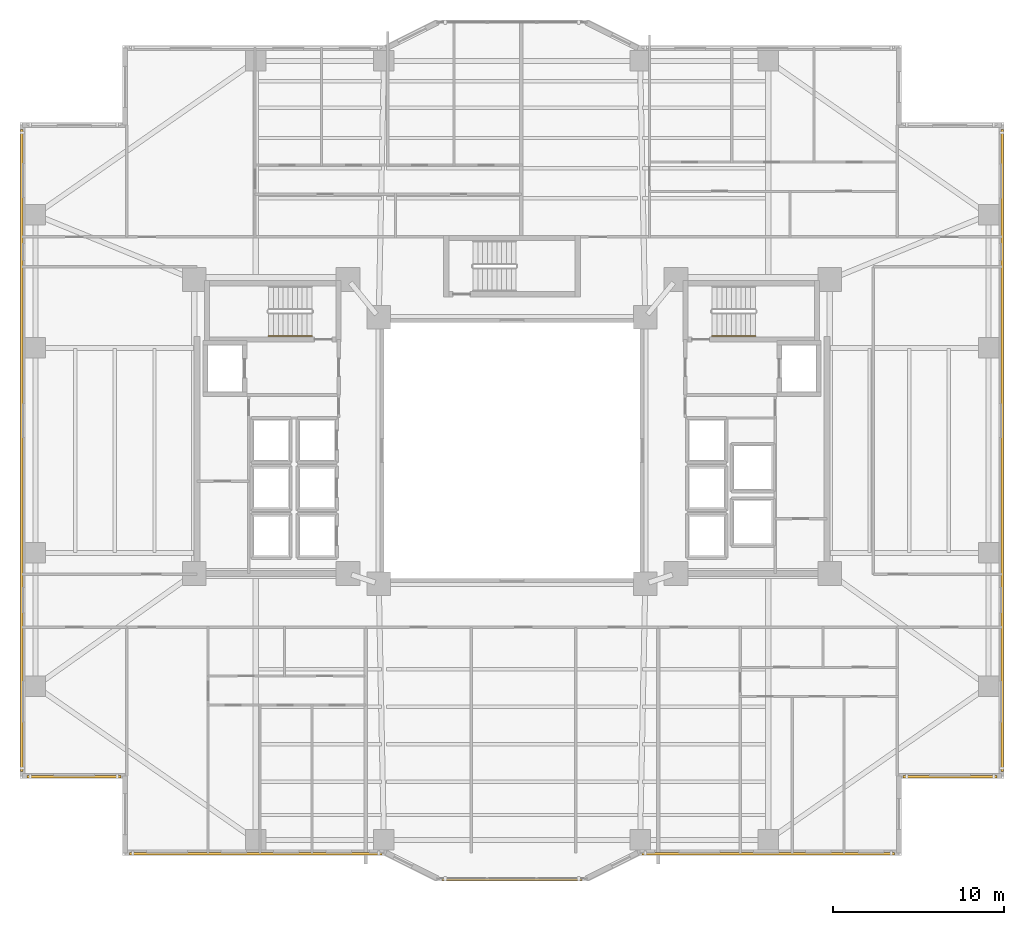
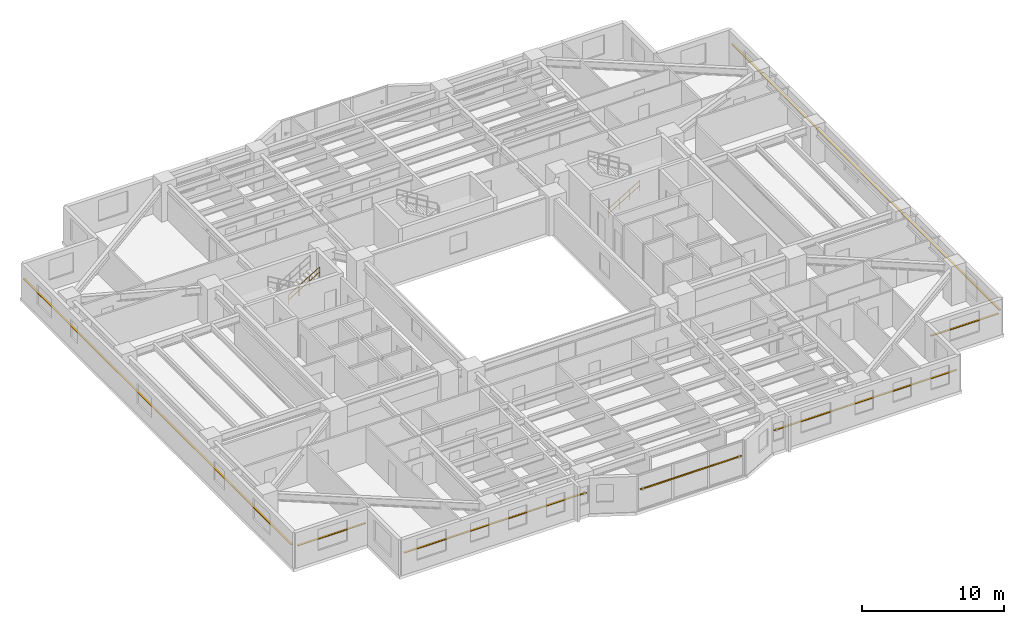
# One storey, part 18 of 20: 7 shading devices, 2 railings.
"""IFC4 building model written with IfcOpenShell, lengths in metres."""

from ifc_helpers import new_model, si_unit, direction, frame, origin, origin_2d, place, context, subcontext, project, spatial, rectangle, circle, extrude, material, material_profile, profile_set, type_object, element, save


model = new_model("IFC4")

# Units and contexts
model_context = context("Model", 3, precision=1e-05, world=origin(), true_north=direction((0.0, 1.0)))
body_context = subcontext(model_context, "Body", "Model", "MODEL_VIEW")
ifc_project = project(units=[si_unit("LENGTHUNIT", "METRE"), si_unit("AREAUNIT", "SQUARE_METRE"), si_unit("VOLUMEUNIT", "CUBIC_METRE"), si_unit("PLANEANGLEUNIT", "RADIAN"), si_unit("MASSUNIT", "GRAM", prefix="KILO")], contexts=[model_context])

# Site, building, storey
site_placement = place(None, origin())
site = spatial("IfcSite", under=ifc_project, at=site_placement, CompositionType="ELEMENT")
building_placement = place(site_placement, origin())
building = spatial("IfcBuilding", under=site, at=building_placement, Name="Tarnavaz Court Tower", CompositionType="ELEMENT")
storey_placement = place(building_placement, frame((0.0, 0.0, 60.85009765625)))
storey = spatial("IfcBuildingStorey", under=building, at=storey_placement, Name="L16", CompositionType="ELEMENT", Elevation=60.85009765625)

# Railings
ifc_material_1 = material(Name="Brushed Stainless Steel", Category="steel")
railing_type = type_object("IfcRailingType", Name="RL-HANDRAIL-900", PredefinedType="HANDRAIL", material=ifc_material_1)
railing_1_placement = place(storey_placement, frame((-14.239990234375, 6.699951171875, 1.84228515625)))
element("IfcRailing", 1, at=railing_1_placement, inside=storey, type_object=railing_type, Name="L16 ST-W1 stair handrail 2", PredefinedType="HANDRAIL", context=body_context, shape_type="SweptSolid", body=[
    extrude(circle(Radius=0.02392578125, at=origin_2d()), frame((0.0, 0.0, 0.8759765625), z_axis=(0.858159760407, 0.0, 0.513382728203), x_axis=(0.0, 1.0, 0.0)), (0.0, 0.0, 1.0), 2.9365234375),
    extrude(circle(Radius=0.02392578125, at=origin_2d()), frame((0.0, 0.0, 0.449951171875), z_axis=(0.858159760407, 0.0, 0.513382728203), x_axis=(0.0, 1.0, 0.0)), (0.0, 0.0, 1.0), 2.9365234375),
    extrude(circle(Radius=0.02099609375, at=origin_2d()), origin(), (0.0, 0.0, 1.0), 0.851806640625),
    extrude(circle(Radius=0.02099609375, at=origin_2d()), frame((0.840087890625, 0.0, 0.50244140625)), (0.0, 0.0, 1.0), 0.851806640625),
    extrude(circle(Radius=0.02099609375, at=origin_2d()), frame((1.679931640625, 0.0, 1.005126953125)), (0.0, 0.0, 1.0), 0.851806640625),
    extrude(circle(Radius=0.02099609375, at=origin_2d()), frame((2.52001953125, 0.0, 1.507568359375)), (0.0, 0.0, 1.0), 0.851806640625),
])
railing_2_placement = place(storey_placement, frame((11.719970703125, 6.699951171875, 0.16748046875)))
element("IfcRailing", 2, at=railing_2_placement, inside=storey, type_object=railing_type, Name="L16 ST-E1 stair handrail 1", PredefinedType="HANDRAIL", context=body_context, shape_type="SweptSolid", body=[
    extrude(circle(Radius=0.02392578125, at=origin_2d()), frame((0.0, 0.0, 0.8759765625), z_axis=(0.858196387827, 0.0, 0.513321497621), x_axis=(0.0, 1.0, 0.0)), (0.0, 0.0, 1.0), 2.9365234375),
    extrude(circle(Radius=0.02392578125, at=origin_2d()), frame((0.0, 0.0, 0.449951171875), z_axis=(0.858196387827, 0.0, 0.513321497621), x_axis=(0.0, 1.0, 0.0)), (0.0, 0.0, 1.0), 2.9365234375),
    extrude(circle(Radius=0.02099609375, at=origin_2d()), origin(), (0.0, 0.0, 1.0), 0.851806640625),
    extrude(circle(Radius=0.02099609375, at=origin_2d()), frame((0.840087890625, 0.0, 0.50244140625)), (0.0, 0.0, 1.0), 0.851806640625),
    extrude(circle(Radius=0.02099609375, at=origin_2d()), frame((1.679931640625, 0.0, 1.0048828125)), (0.0, 0.0, 1.0), 0.851806640625),
    extrude(circle(Radius=0.02099609375, at=origin_2d()), frame((2.52001953125, 0.0, 1.50732421875)), (0.0, 0.0, 1.0), 0.851806640625),
])

# Shading devices
ifc_material_2 = material(Name="Kiln-Fired Khorasan Terracotta Ceramic", Category="masonry")
ifc_material_profile_1 = material_profile(ifc_material_2, rectangle(XDim=0.1201171875, YDim=0.06005859375, at=origin_2d()), Name="TC BAGUETTE 120X60")
ifc_profile_set_1 = profile_set([ifc_material_profile_1], Name="Kiln-Fired Khorasan Terracotta Ceramic")
shading_device_type_1 = type_object("IfcShadingDeviceType", Name="SD-BAG-120", PredefinedType="USERDEFINED", material=ifc_profile_set_1)
shading_device_1_placement = place(storey_placement, frame((4.10009765625, -25.110107421875, 1.7998046875), z_axis=(-1.0, 0.0, 0.0), x_axis=(0.0, -1.0, 0.0)))
element("IfcShadingDevice", 3, at=shading_device_1_placement, inside=storey, type_object=shading_device_type_1, Name="L16 Terracotta Baguette Screen PBG17", ObjectType="BAGUETTE", PredefinedType="USERDEFINED", context=body_context, shape_type="SweptSolid", body=[
    extrude(rectangle(XDim=0.1201171875, YDim=0.06005859375, at=origin_2d()), origin(), (0.0, 0.0, 1.0), 8.2001953125),
])
ifc_material_profile_2 = material_profile(ifc_material_2, rectangle(XDim=0.14990234375, YDim=0.06494140625, at=origin_2d()), Name="TC BAGUETTE 150X65")
ifc_profile_set_2 = profile_set([ifc_material_profile_2], Name="Kiln-Fired Khorasan Terracotta Ceramic")
shading_device_type_2 = type_object("IfcShadingDeviceType", Name="SD-BAG-150", PredefinedType="USERDEFINED", material=ifc_profile_set_2)
shading_device_2_placement = place(storey_placement, frame((-22.89990234375, -19.110107421875, 1.849853515625), z_axis=(-1.0, 0.0, 0.0), x_axis=(0.0, -1.0, 0.0)))
element("IfcShadingDevice", 4, at=shading_device_2_placement, inside=storey, type_object=shading_device_type_2, Name="L16 Terracotta Baguette Screen FBG01", ObjectType="BAGUETTE", PredefinedType="USERDEFINED", context=body_context, shape_type="SweptSolid", body=[
    extrude(rectangle(XDim=0.14990234375, YDim=0.06494140625, at=origin_2d()), origin(), (0.0, 0.0, 1.0), 5.5),
])
for number, where, z_axis, x_axis, name in (
    (5, (-28.7099609375, -18.800048828125, 1.849853515625), (0.0, 1.0, 0.0), (-1.0, 0.0, 0.0), "L16 Terracotta Baguette Screen FBG02"),
    (6, (28.7099609375, 18.800048828125, 1.849853515625), (0.0, -1.0, 0.0), (1.0, 0.0, 0.0), "L16 Terracotta Baguette Screen FBG12"),
):
    element("IfcShadingDevice", number, at=place(storey_placement, frame(where, z_axis=z_axis, x_axis=x_axis)), inside=storey, type_object=shading_device_type_2, Name=name, ObjectType="BAGUETTE", PredefinedType="USERDEFINED", context=body_context, shape_type="SweptSolid", body=[
        extrude(rectangle(XDim=0.14990234375, YDim=0.06494140625, at=origin_2d()), origin(), (0.0, 0.0, 1.0), 37.60009765625),
    ])
shading_device_3_placement = place(storey_placement, frame((28.39990234375, -19.110107421875, 1.849853515625), z_axis=(-1.0, 0.0, 0.0), x_axis=(0.0, -1.0, 0.0)))
element("IfcShadingDevice", 7, at=shading_device_3_placement, inside=storey, type_object=shading_device_type_2, Name="L16 Terracotta Baguette Screen FBG13", ObjectType="BAGUETTE", PredefinedType="USERDEFINED", context=body_context, shape_type="SweptSolid", body=[
    extrude(rectangle(XDim=0.14990234375, YDim=0.06494140625, at=origin_2d()), origin(), (0.0, 0.0, 1.0), 5.5),
])
for number, where, z_axis, x_axis, name in (
    (8, (22.39990234375, -23.610107421875, 1.849853515625), (-1.0, 0.0, 0.0), (0.0, -1.0, 0.0), "L16 Terracotta Baguette Screen FBG15"),
    (9, (-7.60009765625, -23.610107421875, 1.849853515625), (-1.0, 0.0, 0.0), (0.0, -1.0, 0.0), "L16 Terracotta Baguette Screen FBG19"),
):
    element("IfcShadingDevice", number, at=place(storey_placement, frame(where, z_axis=z_axis, x_axis=x_axis)), inside=storey, type_object=shading_device_type_2, Name=name, ObjectType="BAGUETTE", PredefinedType="USERDEFINED", context=body_context, shape_type="SweptSolid", body=[
        extrude(rectangle(XDim=0.14990234375, YDim=0.06494140625, at=origin_2d()), origin(), (0.0, 0.0, 1.0), 14.7998046875),
    ])

save(model, "model.ifc")
